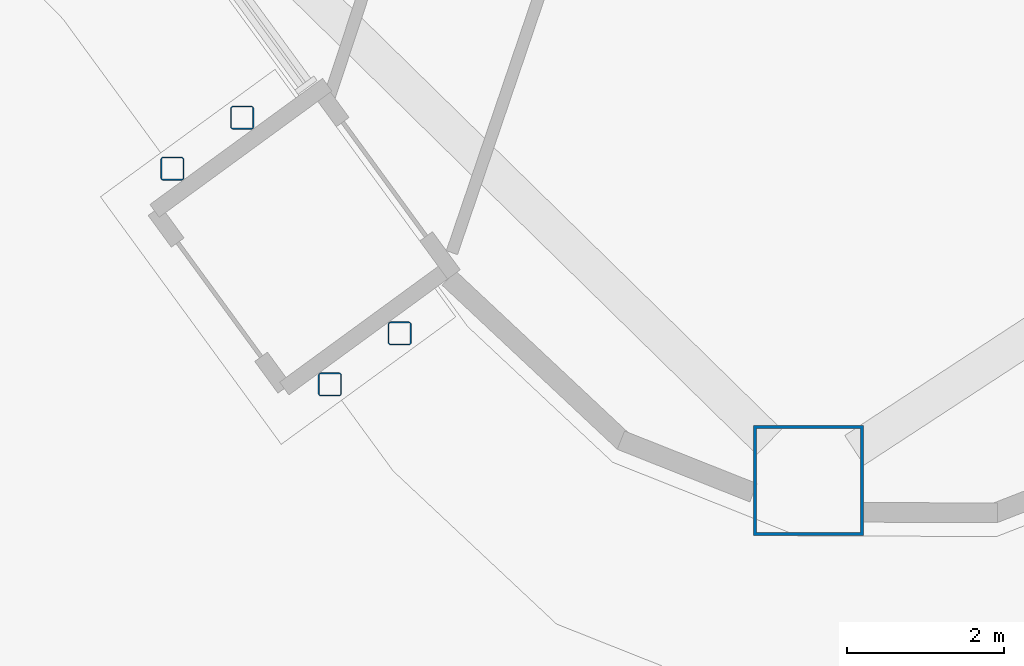
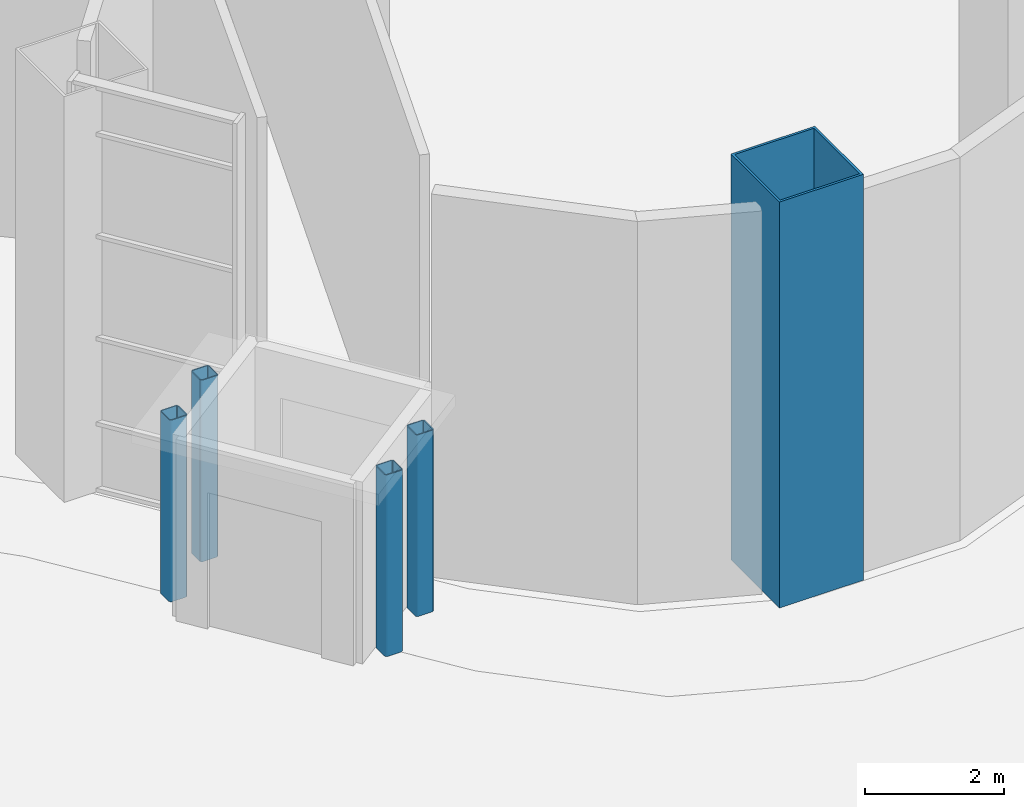
# One storey, part 3 of 45: 5 columns.
"""IFC4 building model written with IfcOpenShell, lengths in metres."""

from ifc_helpers import new_model, si_unit, direction, frame, origin, origin_2d, place, context, subcontext, project, spatial, hollow_rectangle, extrude, material, material_profile, profile_set, type_object, element, save


model = new_model("IFC4")

# Units and contexts
model_context = context("Model", 3, precision=1e-05, world=origin(), true_north=direction((0.0, 1.0)))
body_context = subcontext(model_context, "Body", "Model", "MODEL_VIEW")
ifc_project = project(units=[si_unit("LENGTHUNIT", "METRE"), si_unit("AREAUNIT", "SQUARE_METRE"), si_unit("VOLUMEUNIT", "CUBIC_METRE"), si_unit("PLANEANGLEUNIT", "RADIAN"), si_unit("MASSUNIT", "GRAM", prefix="KILO")], contexts=[model_context])

# Site, building, storey
site_placement = place(None, origin())
site = spatial("IfcSite", under=ifc_project, at=site_placement, CompositionType="ELEMENT")
building_placement = place(site_placement, origin())
building = spatial("IfcBuilding", under=site, at=building_placement, Name="Tuul Gate Civic Tower", CompositionType="ELEMENT")
storey_placement = place(building_placement, origin())
storey = spatial("IfcBuildingStorey", under=building, at=storey_placement, Name="Level 00", CompositionType="ELEMENT", Elevation=0.0)

# Columns
ifc_material_1 = material(Name="Steel S355", Category="steel")
ifc_material_profile_1 = material_profile(ifc_material_1, hollow_rectangle(XDim=1.39990234375, YDim=1.39990234375, WallThickness=0.0400390625, at=origin_2d()), Name="BOX1400x1400x40")
ifc_profile_set_1 = profile_set([ifc_material_profile_1], Name="Steel S355")
column_type_1 = type_object("IfcColumnType", Name="STR-COLUMN-BOX1400x1400x40", PredefinedType="COLUMN", material=ifc_profile_set_1)
column_placement = place(storey_placement, frame((43.10302734375, -37.3740234375, 0.0), z_axis=(0.0, 0.0, 1.0), x_axis=(1.0, 0.0, 0.0)))
element("IfcColumn", 1, at=column_placement, inside=storey, type_object=column_type_1, Name="Column", PredefinedType="COLUMN", context=body_context, shape_type="SweptSolid", body=[
    extrude(hollow_rectangle(XDim=1.39990234375, YDim=1.39990234375, WallThickness=0.0400390625, at=origin_2d()), origin(), (0.0, 0.0, 1.0), 7.14990234375),
])
ifc_material_2 = material(Name="Steel S355", Category="steel")
ifc_material_profile_2 = material_profile(ifc_material_2, hollow_rectangle(XDim=0.300048828125, YDim=0.300048828125, WallThickness=0.01611328125, InnerFilletRadius=0.01611328125, OuterFilletRadius=0.0400390625, at=origin_2d()), Name="SHS300x300x16")
ifc_profile_set_2 = profile_set([ifc_material_profile_2], Name="Steel S355")
column_type_2 = type_object("IfcColumnType", Name="STR-COLUMN-SHS300x300x16", PredefinedType="COLUMN", material=ifc_profile_set_2)
for number, where, z_axis, x_axis, name in (
    (2, (35.896240234375, -32.757568359375, 0.0), (0.0, 0.0, 1.0), (1.0, 0.0, 0.0), "Canopy post"),
    (3, (37.9013671875, -35.50341796875, 0.0), (0.0, 0.0, 1.0), (1.0, 0.0, 0.0), "Canopy post"),
    (4, (35.0078125, -33.40625, 0.0), (0.0, 0.0, 1.0), (1.0, 0.0, 0.0), "Canopy post"),
    (5, (37.012939453125, -36.152099609375, 0.0), (0.0, 0.0, 1.0), (1.0, 0.0, 0.0), "Canopy post"),
):
    element("IfcColumn", number, at=place(storey_placement, frame(where, z_axis=z_axis, x_axis=x_axis)), inside=storey, type_object=column_type_2, Name=name, PredefinedType="COLUMN", context=body_context, shape_type="SweptSolid", body=[
        extrude(hollow_rectangle(XDim=0.300048828125, YDim=0.300048828125, WallThickness=0.01611328125, InnerFilletRadius=0.01611328125, OuterFilletRadius=0.0400390625, at=origin_2d()), origin(), (0.0, 0.0, 1.0), 3.199951171875),
    ])

save(model, "model.ifc")
